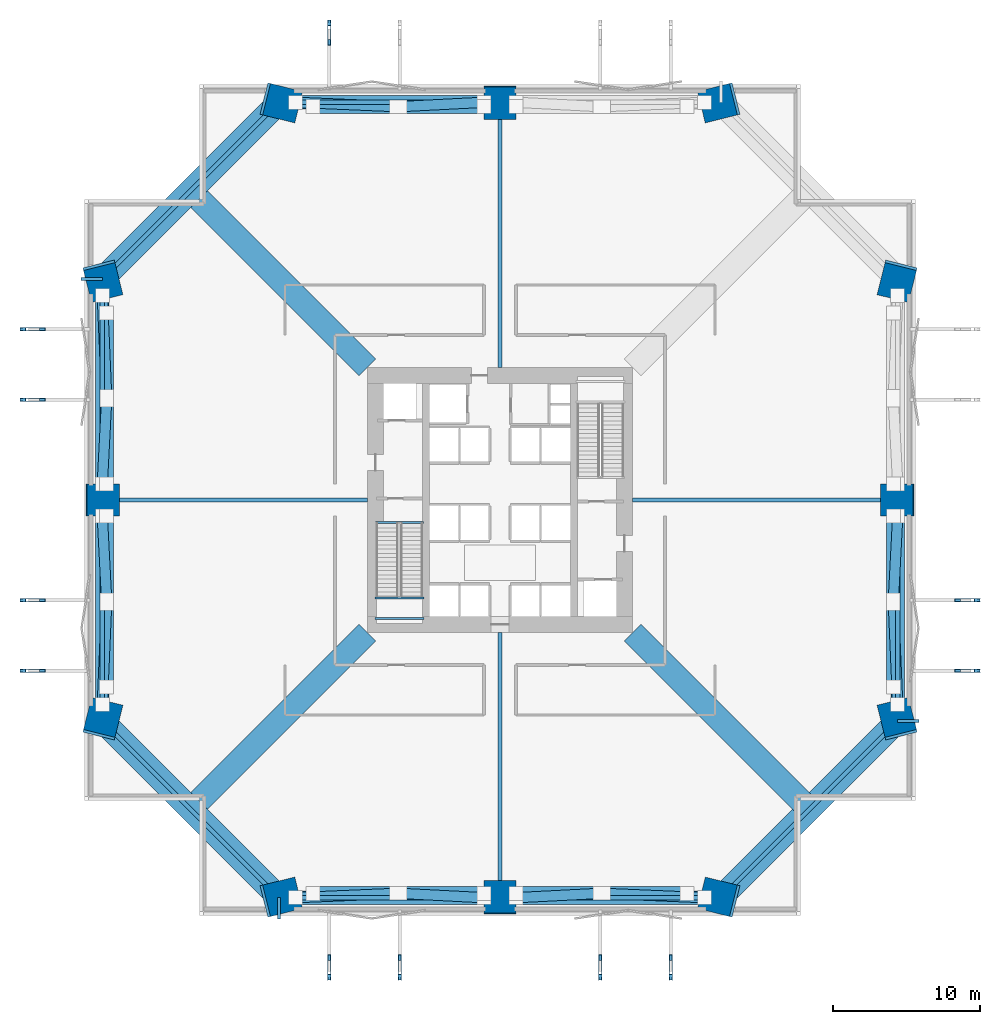
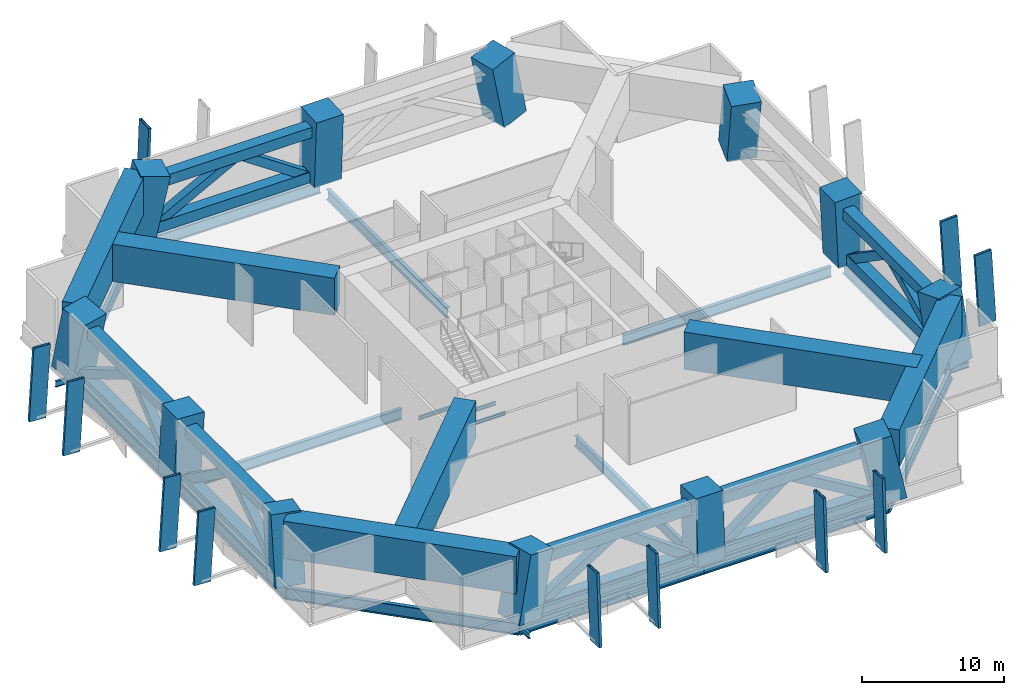
# One storey, part 1 of 6: 37 beams, 23 members, 12 columns.
"""IFC4 building model written with IfcOpenShell, lengths in metres."""

from ifc_helpers import new_model, si_unit, direction, frame, origin, origin_2d, place, context, subcontext, project, spatial, rectangle, hollow_rectangle, i_section, extrude, material, material_profile, profile_set, type_object, element, save


model = new_model("IFC4")

# Units and contexts
model_context = context("Model", 3, precision=1e-05, world=origin(), true_north=direction((0.0, 1.0)))
body_context = subcontext(model_context, "Body", "Model", "MODEL_VIEW")
ifc_project = project(units=[si_unit("LENGTHUNIT", "METRE"), si_unit("AREAUNIT", "SQUARE_METRE"), si_unit("VOLUMEUNIT", "CUBIC_METRE"), si_unit("PLANEANGLEUNIT", "RADIAN"), si_unit("MASSUNIT", "GRAM", prefix="KILO")], contexts=[model_context])

# Site, building, storey
site_placement = place(None, origin())
site = spatial("IfcSite", under=ifc_project, at=site_placement, CompositionType="ELEMENT")
building_placement = place(site_placement, origin())
building = spatial("IfcBuilding", under=site, at=building_placement, Name="Belovzor Exchange Tower", CompositionType="ELEMENT")
storey_placement = place(building_placement, frame((0.0, 0.0, 24.0)))
storey = spatial("IfcBuildingStorey", under=building, at=storey_placement, Name="L05", CompositionType="ELEMENT", Elevation=24.0)

# Columns
ifc_material_1 = material(Name="Concrete C60/75", Category="concrete")
ifc_material_profile_1 = material_profile(ifc_material_1, rectangle(XDim=2.199951171875, YDim=2.199951171875, at=origin_2d()))
ifc_profile_set_1 = profile_set([ifc_material_profile_1], Name="Concrete C60/75")
column_type = type_object("IfcColumnType", Name="Sculpted Mega-Pilotis Composite Column 2200x2200", PredefinedType="PILASTER", material=ifc_profile_set_1)
column_1_placement = place(storey_placement, frame((13.821044921875, 1.804931640625, 0.10693359375), z_axis=(0.195996948524, 0.048977661069, 0.97938061288), x_axis=(-0.242435106458, 0.970167624257, 0.0)))
element("IfcColumn", 1, at=column_1_placement, inside=storey, type_object=column_type, Name="COL-MP220 Sculpted Mega-Pilotis Composite Column 2200x2200", PredefinedType="PILASTER", context=body_context, shape_type="SweptSolid", body=[
    extrude(rectangle(XDim=2.199951171875, YDim=2.199951171875, at=origin_2d()), origin(), (0.0, 0.0, 1.0), 5.65771484375),
])
column_2_placement = place(storey_placement, frame((28.800048828125, 1.800048828125, 0.0029296875), z_axis=(0.0, 0.049878335553, 0.998755301184), x_axis=(-1.0, 0.0, 0.0)))
element("IfcColumn", 2, at=column_2_placement, inside=storey, type_object=column_type, Name="COL-MP220 Sculpted Mega-Pilotis Composite Column 2200x2200", PredefinedType="PILASTER", context=body_context, shape_type="SweptSolid", body=[
    extrude(rectangle(XDim=2.199951171875, YDim=2.199951171875, at=origin_2d()), origin(), (0.0, 0.0, 1.0), 5.751220703125),
])
for number, where, z_axis, x_axis, name in (
    (3, (43.779052734375, 1.804931640625, 0.10693359375), (-0.196038442441, 0.048977246791, 0.979372328781), (-0.242384877432, -0.970180174603, 0.0), "COL-MP220 Sculpted Mega-Pilotis Composite Column 2200x2200"),
    (4, (55.794921875, 13.821044921875, 0.10693359375), (-0.048934612322, 0.19599736258, 0.979382681886), (-0.970217845134, -0.242234045879, 0.0), "COL-MP220 Sculpted Mega-Pilotis Composite Column 2200x2200"),
):
    element("IfcColumn", number, at=place(storey_placement, frame(where, z_axis=z_axis, x_axis=x_axis)), inside=storey, type_object=column_type, Name=name, PredefinedType="PILASTER", context=body_context, shape_type="SweptSolid", body=[
        extrude(rectangle(XDim=2.199951171875, YDim=2.199951171875, at=origin_2d()), origin(), (0.0, 0.0, 1.0), 5.65771484375),
    ])
column_3_placement = place(storey_placement, frame((55.800048828125, 28.800048828125, 0.0029296875), z_axis=(-0.049920679457, 0.0, 0.998753185608), x_axis=(0.0, -1.0, 0.0)))
element("IfcColumn", 5, at=column_3_placement, inside=storey, type_object=column_type, Name="COL-MP220 Sculpted Mega-Pilotis Composite Column 2200x2200", PredefinedType="PILASTER", context=body_context, shape_type="SweptSolid", body=[
    extrude(rectangle(XDim=2.199951171875, YDim=2.199951171875, at=origin_2d()), origin(), (0.0, 0.0, 1.0), 5.751220703125),
])
for number, where, z_axis, x_axis, name in (
    (6, (55.794921875, 43.779052734375, 0.10693359375), (-0.048934198406, -0.196038856579, 0.979374397734), (0.97023037532, -0.242183853316, 0.0), "COL-MP220 Sculpted Mega-Pilotis Composite Column 2200x2200"),
    (7, (43.779052734375, 55.794921875, 0.10693359375), (-0.196038856579, -0.048934198406, 0.979374397734), (0.242183853316, -0.97023037532, 0.0), "COL-MP220 Sculpted Mega-Pilotis Composite Column 2200x2200"),
):
    element("IfcColumn", number, at=place(storey_placement, frame(where, z_axis=z_axis, x_axis=x_axis)), inside=storey, type_object=column_type, Name=name, PredefinedType="PILASTER", context=body_context, shape_type="SweptSolid", body=[
        extrude(rectangle(XDim=2.199951171875, YDim=2.199951171875, at=origin_2d()), origin(), (0.0, 0.0, 1.0), 5.65771484375),
    ])
column_4_placement = place(storey_placement, frame((28.800048828125, 55.800048828125, 0.0029296875), z_axis=(0.0, -0.049920679457, 0.998753185608), x_axis=(1.0, 0.0, 0.0)))
element("IfcColumn", 8, at=column_4_placement, inside=storey, type_object=column_type, Name="COL-MP220 Sculpted Mega-Pilotis Composite Column 2200x2200", PredefinedType="PILASTER", context=body_context, shape_type="SweptSolid", body=[
    extrude(rectangle(XDim=2.199951171875, YDim=2.199951171875, at=origin_2d()), origin(), (0.0, 0.0, 1.0), 5.751220703125),
])
for number, where, z_axis, x_axis, name in (
    (9, (13.821044921875, 55.794921875, 0.10693359375), (0.19599736258, -0.048934612322, 0.979382681886), (0.242234045879, 0.970217845134, 0.0), "COL-MP220 Sculpted Mega-Pilotis Composite Column 2200x2200"),
    (10, (1.804931640625, 43.779052734375, 0.10693359375), (0.048977246791, -0.196038442441, 0.979372328781), (0.970180174603, 0.242384877432, 0.0), "COL-MP220 Sculpted Mega-Pilotis Composite Column 2200x2200"),
):
    element("IfcColumn", number, at=place(storey_placement, frame(where, z_axis=z_axis, x_axis=x_axis)), inside=storey, type_object=column_type, Name=name, PredefinedType="PILASTER", context=body_context, shape_type="SweptSolid", body=[
        extrude(rectangle(XDim=2.199951171875, YDim=2.199951171875, at=origin_2d()), origin(), (0.0, 0.0, 1.0), 5.65771484375),
    ])
column_5_placement = place(storey_placement, frame((1.800048828125, 28.800048828125, 0.0029296875), z_axis=(0.049878335553, 0.0, 0.998755301184), x_axis=(0.0, 1.0, 0.0)))
element("IfcColumn", 11, at=column_5_placement, inside=storey, type_object=column_type, Name="COL-MP220 Sculpted Mega-Pilotis Composite Column 2200x2200", PredefinedType="PILASTER", context=body_context, shape_type="SweptSolid", body=[
    extrude(rectangle(XDim=2.199951171875, YDim=2.199951171875, at=origin_2d()), origin(), (0.0, 0.0, 1.0), 5.751220703125),
])
column_6_placement = place(storey_placement, frame((1.804931640625, 13.821044921875, 0.10693359375), z_axis=(0.048977661069, 0.195996948524, 0.97938061288), x_axis=(-0.970167624257, 0.242435106458, 0.0)))
element("IfcColumn", 12, at=column_6_placement, inside=storey, type_object=column_type, Name="COL-MP220 Sculpted Mega-Pilotis Composite Column 2200x2200", PredefinedType="PILASTER", context=body_context, shape_type="SweptSolid", body=[
    extrude(rectangle(XDim=2.199951171875, YDim=2.199951171875, at=origin_2d()), origin(), (0.0, 0.0, 1.0), 5.65771484375),
])

# Members
ifc_material_2 = material(Name="Extruded Architectural Terracotta on Steel S355 Carrier", Category="masonry")
ifc_material_profile_2 = material_profile(ifc_material_2, hollow_rectangle(XDim=0.219970703125, YDim=1.35009765625, WallThickness=0.013916015625, at=origin_2d()))
ifc_profile_set_2 = profile_set([ifc_material_profile_2], Name="Extruded Architectural Terracotta on Steel S355 Carrier")
member_type_1 = type_object("IfcMemberType", Name="Base Arc Sweeping Terracotta Pylon Fin 1450", PredefinedType="USERDEFINED", material=ifc_profile_set_2)
for number, where, z_axis, x_axis, name in (
    (13, (17.199951171875, -3.113037109375, -0.449951171875), (0.0, 0.060530661981, 0.998166338322), (-1.0, 0.0, 0.0), "FIN-TC145 Terracotta Facade Fin L05 S1"),
    (14, (17.199951171875, 60.712890625, -0.449951171875), (0.0, -0.060530661981, 0.998166338322), (1.0, 0.0, 0.0), "FIN-TC145 Terracotta Facade Fin L05 N1"),
    (15, (-3.113037109375, 17.199951171875, -0.449951171875), (0.060530661981, 0.0, 0.998166338322), (0.0, 1.0, 0.0), "FIN-TC145 Terracotta Facade Fin L05 W1"),
    (16, (60.712890625, 17.199951171875, -0.449951171875), (-0.060530661981, 0.0, 0.998166338322), (0.0, -1.0, 0.0), "FIN-TC145 Terracotta Facade Fin L05 E1"),
    (17, (22.0, -3.113037109375, -0.449951171875), (0.0, 0.060530661981, 0.998166338322), (-1.0, 0.0, 0.0), "FIN-TC145 Terracotta Facade Fin L05 S2"),
    (18, (-3.113037109375, 22.0, -0.449951171875), (0.060530661981, 0.0, 0.998166338322), (0.0, 1.0, 0.0), "FIN-TC145 Terracotta Facade Fin L05 W2"),
    (19, (60.712890625, 22.0, -0.449951171875), (-0.060530661981, 0.0, 0.998166338322), (0.0, -1.0, 0.0), "FIN-TC145 Terracotta Facade Fin L05 E2"),
    (20, (35.60009765625, -3.113037109375, -0.449951171875), (0.0, 0.060530661981, 0.998166338322), (-1.0, 0.0, 0.0), "FIN-TC145 Terracotta Facade Fin L05 S3"),
    (21, (-3.113037109375, 35.60009765625, -0.449951171875), (0.060530661981, 0.0, 0.998166338322), (0.0, 1.0, 0.0), "FIN-TC145 Terracotta Facade Fin L05 W3"),
    (22, (40.39990234375, -3.113037109375, -0.449951171875), (0.0, 0.060530661981, 0.998166338322), (-1.0, 0.0, 0.0), "FIN-TC145 Terracotta Facade Fin L05 S4"),
    (23, (-3.113037109375, 40.39990234375, -0.449951171875), (0.060530661981, 0.0, 0.998166338322), (0.0, 1.0, 0.0), "FIN-TC145 Terracotta Facade Fin L05 W4"),
):
    element("IfcMember", number, at=place(storey_placement, frame(where, z_axis=z_axis, x_axis=x_axis)), inside=storey, type_object=member_type_1, Name=name, ObjectType="FIN", PredefinedType="USERDEFINED", context=body_context, shape_type="SweptSolid", body=[
        extrude(hollow_rectangle(XDim=0.219970703125, YDim=1.35009765625, WallThickness=0.013916015625, at=origin_2d()), origin(), (0.0, 0.0, 1.0), 6.21142578125),
    ])

# Beams
ifc_material_3 = material(Name="Steel S355", Category="steel")
ifc_material_profile_3 = material_profile(ifc_material_3, i_section(OverallWidth=0.199951171875, OverallDepth=0.5, WebThickness=0.01025390625, FlangeThickness=0.01611328125, at=origin_2d()))
ifc_profile_set_3 = profile_set([ifc_material_profile_3], Name="Steel S355")
beam_type_1 = type_object("IfcBeamType", Name="Planted Balcony Cantilever Beam IPE 500", PredefinedType="BEAM", material=ifc_profile_set_3)
for number, where, z_axis, x_axis, name in (
    (24, (13.800048828125, 1.800048828125, -0.699951171875), (0.0, -1.0, 0.0), (1.0, 0.0, 0.0), "BC-500 Planted Balcony Cantilever Beam IPE 500"),
    (25, (1.800048828125, 43.800048828125, -0.699951171875), (-1.0, 0.0, 0.0), (0.0, -1.0, 0.0), "BC-500 Planted Balcony Cantilever Beam IPE 500"),
    (26, (55.800048828125, 13.800048828125, -0.699951171875), (1.0, 0.0, 0.0), (0.0, 1.0, 0.0), "BC-500 Planted Balcony Cantilever Beam IPE 500"),
):
    element("IfcBeam", number, at=place(storey_placement, frame(where, z_axis=z_axis, x_axis=x_axis)), inside=storey, type_object=beam_type_1, Name=name, PredefinedType="BEAM", context=body_context, shape_type="SweptSolid", body=[
        extrude(i_section(OverallWidth=0.199951171875, OverallDepth=0.5, WebThickness=0.01025390625, FlangeThickness=0.01611328125, at=origin_2d()), origin(), (0.0, 0.0, 1.0), 1.449951171875),
    ])
ifc_material_4 = material(Name="Steel S460", Category="steel")
ifc_material_profile_4 = material_profile(ifc_material_4, i_section(OverallWidth=0.300048828125, OverallDepth=0.89990234375, WebThickness=0.0185546875, FlangeThickness=0.034912109375, at=origin_2d()))
ifc_profile_set_4 = profile_set([ifc_material_profile_4], Name="Steel S460")
beam_type_2 = type_object("IfcBeamType", Name="Podium Radial Clear-Span Girder HEB 900", PredefinedType="BEAM", material=ifc_profile_set_4)
beam_1_placement = place(storey_placement, frame((19.800048828125, 28.800048828125, -0.89990234375), z_axis=(-1.0, 0.0, 0.0), x_axis=(0.0, -1.0, 0.0)))
element("IfcBeam", 27, at=beam_1_placement, inside=storey, type_object=beam_type_2, Name="PG-2 Podium Radial Clear-Span Girder HEB 900", PredefinedType="BEAM", context=body_context, shape_type="SweptSolid", body=[
    extrude(i_section(OverallWidth=0.300048828125, OverallDepth=0.89990234375, WebThickness=0.0185546875, FlangeThickness=0.034912109375, at=origin_2d()), origin(), (0.0, 0.0, 1.0), 16.900146484375),
])
beam_2_placement = place(storey_placement, frame((37.800048828125, 28.800048828125, -0.89990234375), z_axis=(1.0, 0.0, 0.0), x_axis=(0.0, 1.0, 0.0)))
element("IfcBeam", 28, at=beam_2_placement, inside=storey, type_object=beam_type_2, Name="PG-2 Podium Radial Clear-Span Girder HEB 900", PredefinedType="BEAM", context=body_context, shape_type="SweptSolid", body=[
    extrude(i_section(OverallWidth=0.300048828125, OverallDepth=0.89990234375, WebThickness=0.0185546875, FlangeThickness=0.034912109375, at=origin_2d()), origin(), (0.0, 0.0, 1.0), 16.89990234375),
])
beam_3_placement = place(storey_placement, frame((28.800048828125, 19.800048828125, -0.89990234375), z_axis=(0.0, -1.0, 0.0), x_axis=(1.0, 0.0, 0.0)))
element("IfcBeam", 29, at=beam_3_placement, inside=storey, type_object=beam_type_2, Name="PG-2 Podium Radial Clear-Span Girder HEB 900", PredefinedType="BEAM", context=body_context, shape_type="SweptSolid", body=[
    extrude(i_section(OverallWidth=0.300048828125, OverallDepth=0.89990234375, WebThickness=0.0185546875, FlangeThickness=0.034912109375, at=origin_2d()), origin(), (0.0, 0.0, 1.0), 16.900146484375),
])
beam_4_placement = place(storey_placement, frame((28.800048828125, 37.800048828125, -0.89990234375), z_axis=(0.0, 1.0, 0.0), x_axis=(-1.0, 0.0, 0.0)))
element("IfcBeam", 30, at=beam_4_placement, inside=storey, type_object=beam_type_2, Name="PG-2 Podium Radial Clear-Span Girder HEB 900", PredefinedType="BEAM", context=body_context, shape_type="SweptSolid", body=[
    extrude(i_section(OverallWidth=0.300048828125, OverallDepth=0.89990234375, WebThickness=0.0185546875, FlangeThickness=0.034912109375, at=origin_2d()), origin(), (0.0, 0.0, 1.0), 16.89990234375),
])
ifc_material_5 = material(Name="Steel S460", Category="steel")
ifc_material_profile_5 = material_profile(ifc_material_5, i_section(OverallWidth=0.300048828125, OverallDepth=1.0, WebThickness=0.02099609375, FlangeThickness=0.0400390625, at=origin_2d()))
ifc_profile_set_5 = profile_set([ifc_material_profile_5], Name="Steel S460")
beam_type_3 = type_object("IfcBeamType", Name="Podium Transfer Ring Girder HEM 1000", PredefinedType="BEAM", material=ifc_profile_set_5)
for number, where, z_axis, x_axis, name in (
    (31, (13.800048828125, 1.800048828125, -0.949951171875), (1.0, 0.0, 0.0), (0.0, 1.0, 0.0), "PG-1T Podium Transfer Ring Girder HEM 1000"),
    (32, (28.800048828125, 1.800048828125, -0.949951171875), (1.0, 0.0, 0.0), (0.0, 1.0, 0.0), "PG-1T Podium Transfer Ring Girder HEM 1000"),
):
    element("IfcBeam", number, at=place(storey_placement, frame(where, z_axis=z_axis, x_axis=x_axis)), inside=storey, type_object=beam_type_3, Name=name, PredefinedType="BEAM", context=body_context, shape_type="SweptSolid", body=[
        extrude(i_section(OverallWidth=0.300048828125, OverallDepth=1.0, WebThickness=0.02099609375, FlangeThickness=0.0400390625, at=origin_2d()), origin(), (0.0, 0.0, 1.0), 15.0),
    ])
beam_5_placement = place(storey_placement, frame((43.800048828125, 1.800048828125, -0.949951171875), z_axis=(0.707106781187, 0.707106781187, 0.0), x_axis=(-0.707106781187, 0.707106781187, 0.0)))
element("IfcBeam", 33, at=beam_5_placement, inside=storey, type_object=beam_type_3, Name="PG-1T Podium Transfer Ring Girder HEM 1000", PredefinedType="BEAM", context=body_context, shape_type="SweptSolid", body=[
    extrude(i_section(OverallWidth=0.300048828125, OverallDepth=1.0, WebThickness=0.02099609375, FlangeThickness=0.0400390625, at=origin_2d()), origin(), (0.0, 0.0, 1.0), 16.970458984375),
])
for number, where, z_axis, x_axis, name in (
    (34, (55.800048828125, 13.800048828125, -0.949951171875), (0.0, 1.0, 0.0), (-1.0, 0.0, 0.0), "PG-1T Podium Transfer Ring Girder HEM 1000"),
    (35, (28.800048828125, 55.800048828125, -0.949951171875), (-1.0, 0.0, 0.0), (0.0, -1.0, 0.0), "PG-1T Podium Transfer Ring Girder HEM 1000"),
):
    element("IfcBeam", number, at=place(storey_placement, frame(where, z_axis=z_axis, x_axis=x_axis)), inside=storey, type_object=beam_type_3, Name=name, PredefinedType="BEAM", context=body_context, shape_type="SweptSolid", body=[
        extrude(i_section(OverallWidth=0.300048828125, OverallDepth=1.0, WebThickness=0.02099609375, FlangeThickness=0.0400390625, at=origin_2d()), origin(), (0.0, 0.0, 1.0), 15.0),
    ])
beam_6_placement = place(storey_placement, frame((13.800048828125, 55.800048828125, -0.949951171875), z_axis=(-0.707106781187, -0.707106781187, 0.0), x_axis=(0.707106781187, -0.707106781187, 0.0)))
element("IfcBeam", 36, at=beam_6_placement, inside=storey, type_object=beam_type_3, Name="PG-1T Podium Transfer Ring Girder HEM 1000", PredefinedType="BEAM", context=body_context, shape_type="SweptSolid", body=[
    extrude(i_section(OverallWidth=0.300048828125, OverallDepth=1.0, WebThickness=0.02099609375, FlangeThickness=0.0400390625, at=origin_2d()), origin(), (0.0, 0.0, 1.0), 16.970458984375),
])
for number, where, z_axis, x_axis, name in (
    (37, (1.800048828125, 43.800048828125, -0.949951171875), (0.0, -1.0, 0.0), (1.0, 0.0, 0.0), "PG-1T Podium Transfer Ring Girder HEM 1000"),
    (38, (1.800048828125, 28.800048828125, -0.949951171875), (0.0, -1.0, 0.0), (1.0, 0.0, 0.0), "PG-1T Podium Transfer Ring Girder HEM 1000"),
):
    element("IfcBeam", number, at=place(storey_placement, frame(where, z_axis=z_axis, x_axis=x_axis)), inside=storey, type_object=beam_type_3, Name=name, PredefinedType="BEAM", context=body_context, shape_type="SweptSolid", body=[
        extrude(i_section(OverallWidth=0.300048828125, OverallDepth=1.0, WebThickness=0.02099609375, FlangeThickness=0.0400390625, at=origin_2d()), origin(), (0.0, 0.0, 1.0), 15.0),
    ])
beam_7_placement = place(storey_placement, frame((1.800048828125, 13.800048828125, -0.949951171875), z_axis=(0.707106781187, -0.707106781187, 0.0), x_axis=(0.707106781187, 0.707106781187, 0.0)))
element("IfcBeam", 39, at=beam_7_placement, inside=storey, type_object=beam_type_3, Name="PG-1T Podium Transfer Ring Girder HEM 1000", PredefinedType="BEAM", context=body_context, shape_type="SweptSolid", body=[
    extrude(i_section(OverallWidth=0.300048828125, OverallDepth=1.0, WebThickness=0.02099609375, FlangeThickness=0.0400390625, at=origin_2d()), origin(), (0.0, 0.0, 1.0), 16.970458984375),
])
ifc_material_6 = material(Name="Steel S460", Category="steel")
ifc_material_profile_6 = material_profile(ifc_material_6, hollow_rectangle(XDim=0.89990234375, YDim=0.89990234375, WallThickness=0.044921875, at=origin_2d()))
ifc_profile_set_6 = profile_set([ifc_material_profile_6], Name="Steel S460")
beam_type_4 = type_object("IfcBeamType", Name="Podium Transfer Truss Heavy Chord SHS 900x900x45", PredefinedType="BEAM", material=ifc_profile_set_6)
beam_8_placement = place(storey_placement, frame((16.10009765625, 2.10009765625, 4.5), z_axis=(1.0, 0.0, 0.0), x_axis=(0.0, 1.0, 0.0)))
element("IfcBeam", 40, at=beam_8_placement, inside=storey, type_object=beam_type_4, Name="TC-900 Podium Transfer Truss Heavy Chord SHS 900x900x45", PredefinedType="BEAM", context=body_context, shape_type="SweptSolid", body=[
    extrude(hollow_rectangle(XDim=0.89990234375, YDim=0.89990234375, WallThickness=0.044921875, at=origin_2d()), origin(), (0.0, 0.0, 1.0), 11.599853515625),
])
beam_9_placement = place(storey_placement, frame((14.89990234375, 1.800048828125, 0.449951171875), z_axis=(1.0, 0.0, 0.0), x_axis=(0.0, 1.0, 0.0)))
element("IfcBeam", 41, at=beam_9_placement, inside=storey, type_object=beam_type_4, Name="TC-900 Podium Transfer Truss Heavy Chord SHS 900x900x45", PredefinedType="BEAM", context=body_context, shape_type="SweptSolid", body=[
    extrude(hollow_rectangle(XDim=0.89990234375, YDim=0.89990234375, WallThickness=0.044921875, at=origin_2d()), origin(), (0.0, 0.0, 1.0), 12.800048828125),
])
beam_10_placement = place(storey_placement, frame((29.89990234375, 2.10009765625, 4.5), z_axis=(1.0, 0.0, 0.0), x_axis=(0.0, 1.0, 0.0)))
element("IfcBeam", 42, at=beam_10_placement, inside=storey, type_object=beam_type_4, Name="TC-900 Podium Transfer Truss Heavy Chord SHS 900x900x45", PredefinedType="BEAM", context=body_context, shape_type="SweptSolid", body=[
    extrude(hollow_rectangle(XDim=0.89990234375, YDim=0.89990234375, WallThickness=0.044921875, at=origin_2d()), origin(), (0.0, 0.0, 1.0), 11.60009765625),
])
beam_11_placement = place(storey_placement, frame((29.89990234375, 1.800048828125, 0.449951171875), z_axis=(1.0, 0.0, 0.0), x_axis=(0.0, 1.0, 0.0)))
element("IfcBeam", 43, at=beam_11_placement, inside=storey, type_object=beam_type_4, Name="TC-900 Podium Transfer Truss Heavy Chord SHS 900x900x45", PredefinedType="BEAM", context=body_context, shape_type="SweptSolid", body=[
    extrude(hollow_rectangle(XDim=0.89990234375, YDim=0.89990234375, WallThickness=0.044921875, at=origin_2d()), origin(), (0.0, 0.0, 1.0), 12.800048828125),
])
beam_12_placement = place(storey_placement, frame((55.5, 16.10009765625, 4.5), z_axis=(0.0, 1.0, 0.0), x_axis=(-1.0, 0.0, 0.0)))
element("IfcBeam", 44, at=beam_12_placement, inside=storey, type_object=beam_type_4, Name="TC-900 Podium Transfer Truss Heavy Chord SHS 900x900x45", PredefinedType="BEAM", context=body_context, shape_type="SweptSolid", body=[
    extrude(hollow_rectangle(XDim=0.89990234375, YDim=0.89990234375, WallThickness=0.044921875, at=origin_2d()), origin(), (0.0, 0.0, 1.0), 11.599853515625),
])
beam_13_placement = place(storey_placement, frame((55.800048828125, 14.89990234375, 0.449951171875), z_axis=(0.0, 1.0, 0.0), x_axis=(-1.0, 0.0, 0.0)))
element("IfcBeam", 45, at=beam_13_placement, inside=storey, type_object=beam_type_4, Name="TC-900 Podium Transfer Truss Heavy Chord SHS 900x900x45", PredefinedType="BEAM", context=body_context, shape_type="SweptSolid", body=[
    extrude(hollow_rectangle(XDim=0.89990234375, YDim=0.89990234375, WallThickness=0.044921875, at=origin_2d()), origin(), (0.0, 0.0, 1.0), 12.800048828125),
])
beam_14_placement = place(storey_placement, frame((27.699951171875, 55.5, 4.5), z_axis=(-1.0, 0.0, 0.0), x_axis=(0.0, -1.0, 0.0)))
element("IfcBeam", 46, at=beam_14_placement, inside=storey, type_object=beam_type_4, Name="TC-900 Podium Transfer Truss Heavy Chord SHS 900x900x45", PredefinedType="BEAM", context=body_context, shape_type="SweptSolid", body=[
    extrude(hollow_rectangle(XDim=0.89990234375, YDim=0.89990234375, WallThickness=0.044921875, at=origin_2d()), origin(), (0.0, 0.0, 1.0), 11.599853515625),
])
beam_15_placement = place(storey_placement, frame((27.699951171875, 55.800048828125, 0.449951171875), z_axis=(-1.0, 0.0, 0.0), x_axis=(0.0, -1.0, 0.0)))
element("IfcBeam", 47, at=beam_15_placement, inside=storey, type_object=beam_type_4, Name="TC-900 Podium Transfer Truss Heavy Chord SHS 900x900x45", PredefinedType="BEAM", context=body_context, shape_type="SweptSolid", body=[
    extrude(hollow_rectangle(XDim=0.89990234375, YDim=0.89990234375, WallThickness=0.044921875, at=origin_2d()), origin(), (0.0, 0.0, 1.0), 12.800048828125),
])
beam_16_placement = place(storey_placement, frame((2.10009765625, 41.5, 4.5), z_axis=(0.0, -1.0, 0.0), x_axis=(1.0, 0.0, 0.0)))
element("IfcBeam", 48, at=beam_16_placement, inside=storey, type_object=beam_type_4, Name="TC-900 Podium Transfer Truss Heavy Chord SHS 900x900x45", PredefinedType="BEAM", context=body_context, shape_type="SweptSolid", body=[
    extrude(hollow_rectangle(XDim=0.89990234375, YDim=0.89990234375, WallThickness=0.044921875, at=origin_2d()), origin(), (0.0, 0.0, 1.0), 11.60009765625),
])
beam_17_placement = place(storey_placement, frame((1.800048828125, 42.699951171875, 0.449951171875), z_axis=(0.0, -1.0, 0.0), x_axis=(1.0, 0.0, 0.0)))
element("IfcBeam", 49, at=beam_17_placement, inside=storey, type_object=beam_type_4, Name="TC-900 Podium Transfer Truss Heavy Chord SHS 900x900x45", PredefinedType="BEAM", context=body_context, shape_type="SweptSolid", body=[
    extrude(hollow_rectangle(XDim=0.89990234375, YDim=0.89990234375, WallThickness=0.044921875, at=origin_2d()), origin(), (0.0, 0.0, 1.0), 12.800048828125),
])
beam_18_placement = place(storey_placement, frame((2.10009765625, 27.699951171875, 4.5), z_axis=(0.0, -1.0, 0.0), x_axis=(1.0, 0.0, 0.0)))
element("IfcBeam", 50, at=beam_18_placement, inside=storey, type_object=beam_type_4, Name="TC-900 Podium Transfer Truss Heavy Chord SHS 900x900x45", PredefinedType="BEAM", context=body_context, shape_type="SweptSolid", body=[
    extrude(hollow_rectangle(XDim=0.89990234375, YDim=0.89990234375, WallThickness=0.044921875, at=origin_2d()), origin(), (0.0, 0.0, 1.0), 11.599853515625),
])
beam_19_placement = place(storey_placement, frame((1.800048828125, 27.699951171875, 0.449951171875), z_axis=(0.0, -1.0, 0.0), x_axis=(1.0, 0.0, 0.0)))
element("IfcBeam", 51, at=beam_19_placement, inside=storey, type_object=beam_type_4, Name="TC-900 Podium Transfer Truss Heavy Chord SHS 900x900x45", PredefinedType="BEAM", context=body_context, shape_type="SweptSolid", body=[
    extrude(hollow_rectangle(XDim=0.89990234375, YDim=0.89990234375, WallThickness=0.044921875, at=origin_2d()), origin(), (0.0, 0.0, 1.0), 12.800048828125),
])

# Members
ifc_material_7 = material(Name="Steel S460", Category="steel")
ifc_material_profile_7 = material_profile(ifc_material_7, hollow_rectangle(XDim=0.699951171875, YDim=0.699951171875, WallThickness=0.034912109375, at=origin_2d()))
ifc_profile_set_7 = profile_set([ifc_material_profile_7], Name="Steel S460")
member_type_2 = type_object("IfcMemberType", Name="Podium Transfer Truss Web Diagonal SHS 700x700x35", PredefinedType="BRACE", material=ifc_profile_set_7)
member_1_placement = place(storey_placement, frame((14.89990234375, 1.800048828125, 0.449951171875), z_axis=(0.864969605983, 0.03707615952, 0.500452734153), x_axis=(-0.042824794661, 0.999082597668, 0.0)))
element("IfcMember", 52, at=member_1_placement, inside=storey, type_object=member_type_2, Name="TD-700 Podium Transfer Truss Web Diagonal SHS 700x700x35", PredefinedType="BRACE", context=body_context, shape_type="SweptSolid", body=[
    extrude(hollow_rectangle(XDim=0.699951171875, YDim=0.699951171875, WallThickness=0.034912109375, at=origin_2d()), origin(), (0.0, 0.0, 1.0), 8.0927734375),
])
for number, where, z_axis, x_axis, name in (
    (53, (21.89990234375, 2.10009765625, 4.5), (0.819157996422, -0.042376780637, -0.572000336854), (0.051663036621, 0.998664573642, 0.0), "TD-700 Podium Transfer Truss Web Diagonal SHS 700x700x35"),
    (54, (29.89990234375, 1.800048828125, 0.449951171875), (0.819157996422, 0.042376780637, 0.572000336854), (-0.051663036621, 0.998664573642, 0.0), "TD-700 Podium Transfer Truss Web Diagonal SHS 700x700x35"),
):
    element("IfcMember", number, at=place(storey_placement, frame(where, z_axis=z_axis, x_axis=x_axis)), inside=storey, type_object=member_type_2, Name=name, PredefinedType="BRACE", context=body_context, shape_type="SweptSolid", body=[
        extrude(hollow_rectangle(XDim=0.699951171875, YDim=0.699951171875, WallThickness=0.034912109375, at=origin_2d()), origin(), (0.0, 0.0, 1.0), 7.08056640625),
    ])
for number, where, z_axis, x_axis, name in (
    (55, (35.699951171875, 2.10009765625, 4.5), (0.864969605983, -0.03707615952, -0.500452734153), (0.042824794661, 0.999082597668, 0.0), "TD-700 Podium Transfer Truss Web Diagonal SHS 700x700x35"),
    (56, (55.800048828125, 14.89990234375, 0.449951171875), (-0.03707615952, 0.864969605983, 0.500452734153), (-0.999082597668, -0.042824794661, 0.0), "TD-700 Podium Transfer Truss Web Diagonal SHS 700x700x35"),
):
    element("IfcMember", number, at=place(storey_placement, frame(where, z_axis=z_axis, x_axis=x_axis)), inside=storey, type_object=member_type_2, Name=name, PredefinedType="BRACE", context=body_context, shape_type="SweptSolid", body=[
        extrude(hollow_rectangle(XDim=0.699951171875, YDim=0.699951171875, WallThickness=0.034912109375, at=origin_2d()), origin(), (0.0, 0.0, 1.0), 8.0927734375),
    ])
for number, where, z_axis, x_axis, name in (
    (57, (55.5, 21.89990234375, 4.5), (0.042376780637, 0.819157996422, -0.572000336854), (-0.998664573642, 0.051663036621, 0.0), "TD-700 Podium Transfer Truss Web Diagonal SHS 700x700x35"),
    (58, (27.699951171875, 55.800048828125, 0.449951171875), (-0.819157996422, -0.042376780637, 0.572000336854), (0.051663036621, -0.998664573642, 0.0), "TD-700 Podium Transfer Truss Web Diagonal SHS 700x700x35"),
):
    element("IfcMember", number, at=place(storey_placement, frame(where, z_axis=z_axis, x_axis=x_axis)), inside=storey, type_object=member_type_2, Name=name, PredefinedType="BRACE", context=body_context, shape_type="SweptSolid", body=[
        extrude(hollow_rectangle(XDim=0.699951171875, YDim=0.699951171875, WallThickness=0.034912109375, at=origin_2d()), origin(), (0.0, 0.0, 1.0), 7.08056640625),
    ])
for number, where, z_axis, x_axis, name in (
    (59, (21.89990234375, 55.5, 4.5), (-0.864969605983, 0.03707615952, -0.500452734153), (-0.042824794661, -0.999082597668, 0.0), "TD-700 Podium Transfer Truss Web Diagonal SHS 700x700x35"),
    (60, (1.800048828125, 42.699951171875, 0.449951171875), (0.03707615952, -0.864969605983, 0.500452734153), (0.999082597668, 0.042824794661, 0.0), "TD-700 Podium Transfer Truss Web Diagonal SHS 700x700x35"),
):
    element("IfcMember", number, at=place(storey_placement, frame(where, z_axis=z_axis, x_axis=x_axis)), inside=storey, type_object=member_type_2, Name=name, PredefinedType="BRACE", context=body_context, shape_type="SweptSolid", body=[
        extrude(hollow_rectangle(XDim=0.699951171875, YDim=0.699951171875, WallThickness=0.034912109375, at=origin_2d()), origin(), (0.0, 0.0, 1.0), 8.0927734375),
    ])
for number, where, z_axis, x_axis, name in (
    (61, (2.10009765625, 35.699951171875, 4.5), (-0.042376780637, -0.819157996422, -0.572000336854), (0.998664573642, -0.051663036621, 0.0), "TD-700 Podium Transfer Truss Web Diagonal SHS 700x700x35"),
    (62, (1.800048828125, 27.699951171875, 0.449951171875), (0.042376780637, -0.819157996422, 0.572000336854), (0.998664573642, 0.051663036621, 0.0), "TD-700 Podium Transfer Truss Web Diagonal SHS 700x700x35"),
):
    element("IfcMember", number, at=place(storey_placement, frame(where, z_axis=z_axis, x_axis=x_axis)), inside=storey, type_object=member_type_2, Name=name, PredefinedType="BRACE", context=body_context, shape_type="SweptSolid", body=[
        extrude(hollow_rectangle(XDim=0.699951171875, YDim=0.699951171875, WallThickness=0.034912109375, at=origin_2d()), origin(), (0.0, 0.0, 1.0), 7.08056640625),
    ])
member_2_placement = place(storey_placement, frame((2.10009765625, 21.89990234375, 4.5), z_axis=(-0.03707615952, -0.864969605983, -0.500452734153), x_axis=(0.999082597668, -0.042824794661, 0.0)))
element("IfcMember", 63, at=member_2_placement, inside=storey, type_object=member_type_2, Name="TD-700 Podium Transfer Truss Web Diagonal SHS 700x700x35", PredefinedType="BRACE", context=body_context, shape_type="SweptSolid", body=[
    extrude(hollow_rectangle(XDim=0.699951171875, YDim=0.699951171875, WallThickness=0.034912109375, at=origin_2d()), origin(), (0.0, 0.0, 1.0), 8.0927734375),
])

# Beams
ifc_material_8 = material(Name="Concrete C60/75", Category="concrete")
ifc_material_profile_8 = material_profile(ifc_material_8, rectangle(XDim=1.60009765625, YDim=3.199951171875, at=origin_2d()))
ifc_profile_set_8 = profile_set([ifc_material_profile_8], Name="Concrete C60/75")
beam_type_5 = type_object("IfcBeamType", Name="Reinforced Concrete Deep Transfer Girder 1600x3200", PredefinedType="BEAM", material=ifc_profile_set_8)
for number, where, z_axis, x_axis, name in (
    (64, (1.800048828125, 13.800048828125, 4.14990234375), (0.707106781187, -0.707106781187, 0.0), (0.707106781187, 0.707106781187, 0.0), "TG-1 Reinforced Concrete Deep Transfer Girder 1600x3200"),
    (65, (43.800048828125, 1.800048828125, 4.14990234375), (0.707106781187, 0.707106781187, 0.0), (-0.707106781187, 0.707106781187, 0.0), "TG-1 Reinforced Concrete Deep Transfer Girder 1600x3200"),
    (66, (13.800048828125, 55.800048828125, 4.14990234375), (-0.707106781187, -0.707106781187, 0.0), (0.707106781187, -0.707106781187, 0.0), "TG-1 Reinforced Concrete Deep Transfer Girder 1600x3200"),
    (67, (19.800048828125, 19.800048828125, 4.14990234375), (-0.707106781187, -0.707106781187, 0.0), (0.707106781187, -0.707106781187, 0.0), "TG-1 Reinforced Concrete Deep Transfer Girder 1600x3200"),
    (68, (37.800048828125, 19.800048828125, 4.14990234375), (0.707106781187, -0.707106781187, 0.0), (0.707106781187, 0.707106781187, 0.0), "TG-1 Reinforced Concrete Deep Transfer Girder 1600x3200"),
    (69, (19.800048828125, 37.800048828125, 4.14990234375), (-0.707106781187, 0.707106781187, 0.0), (-0.707106781187, -0.707106781187, 0.0), "TG-1 Reinforced Concrete Deep Transfer Girder 1600x3200"),
):
    element("IfcBeam", number, at=place(storey_placement, frame(where, z_axis=z_axis, x_axis=x_axis)), inside=storey, type_object=beam_type_5, Name=name, PredefinedType="BEAM", context=body_context, shape_type="SweptSolid", body=[
        extrude(rectangle(XDim=1.60009765625, YDim=3.199951171875, at=origin_2d()), origin(), (0.0, 0.0, 1.0), 16.970458984375),
    ])
ifc_material_9 = material(Name="Steel S355", Category="steel")
ifc_material_profile_9 = material_profile(ifc_material_9, i_section(OverallWidth=0.14990234375, OverallDepth=0.300048828125, WebThickness=0.007080078125, FlangeThickness=0.0107421875, at=origin_2d()))
ifc_profile_set_9 = profile_set([ifc_material_profile_9], Name="Steel S355")
beam_type_6 = type_object("IfcBeamType", Name="Secondary Trim Floor Joist IPE 300", PredefinedType="BEAM", material=ifc_profile_set_9)
for number, where, z_axis, x_axis, name in (
    (70, (20.320068359375, 22.14990234375, 2.64990234375), (1.0, 0.0, 0.0), (0.0, 1.0, 0.0), "FJ-300 Secondary Trim Floor Joist IPE 300"),
    (71, (20.320068359375, 20.75, 2.64990234375), (1.0, 0.0, 0.0), (0.0, 1.0, 0.0), "FJ-300 Secondary Trim Floor Joist IPE 300"),
):
    element("IfcBeam", number, at=place(storey_placement, frame(where, z_axis=z_axis, x_axis=x_axis)), inside=storey, type_object=beam_type_6, Name=name, PredefinedType="BEAM", context=body_context, shape_type="SweptSolid", body=[
        extrude(i_section(OverallWidth=0.14990234375, OverallDepth=0.300048828125, WebThickness=0.007080078125, FlangeThickness=0.0107421875, at=origin_2d()), origin(), (0.0, 0.0, 1.0), 3.309814453125),
    ])
beam_20_placement = place(storey_placement, frame((20.340087890625, 27.280029296875, -0.60009765625), z_axis=(1.0, 0.0, 0.0), x_axis=(0.0, 1.0, 0.0)))
element("IfcBeam", 72, at=beam_20_placement, inside=storey, type_object=beam_type_6, Name="FJ-300 Secondary Trim Floor Joist IPE 300", PredefinedType="BEAM", context=body_context, shape_type="SweptSolid", body=[
    extrude(i_section(OverallWidth=0.14990234375, OverallDepth=0.300048828125, WebThickness=0.007080078125, FlangeThickness=0.0107421875, at=origin_2d()), origin(), (0.0, 0.0, 1.0), 3.27001953125),
])

save(model, "model.ifc")
